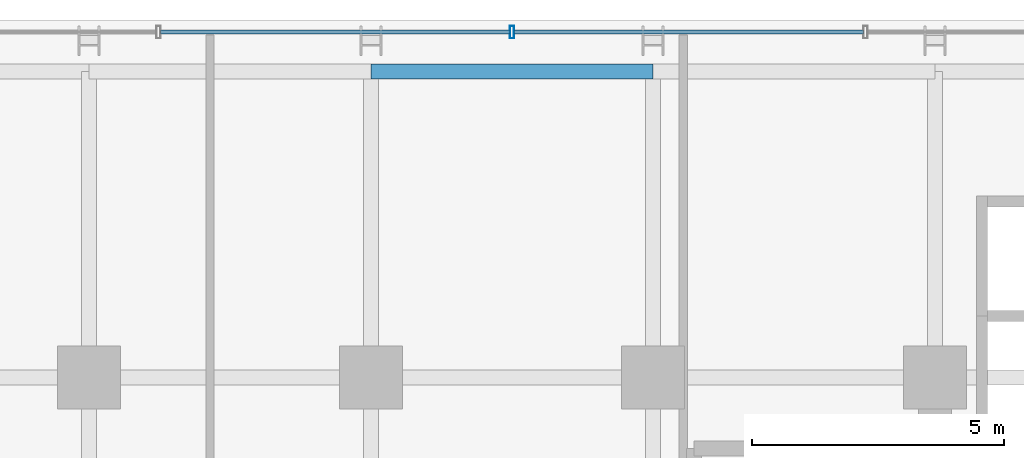
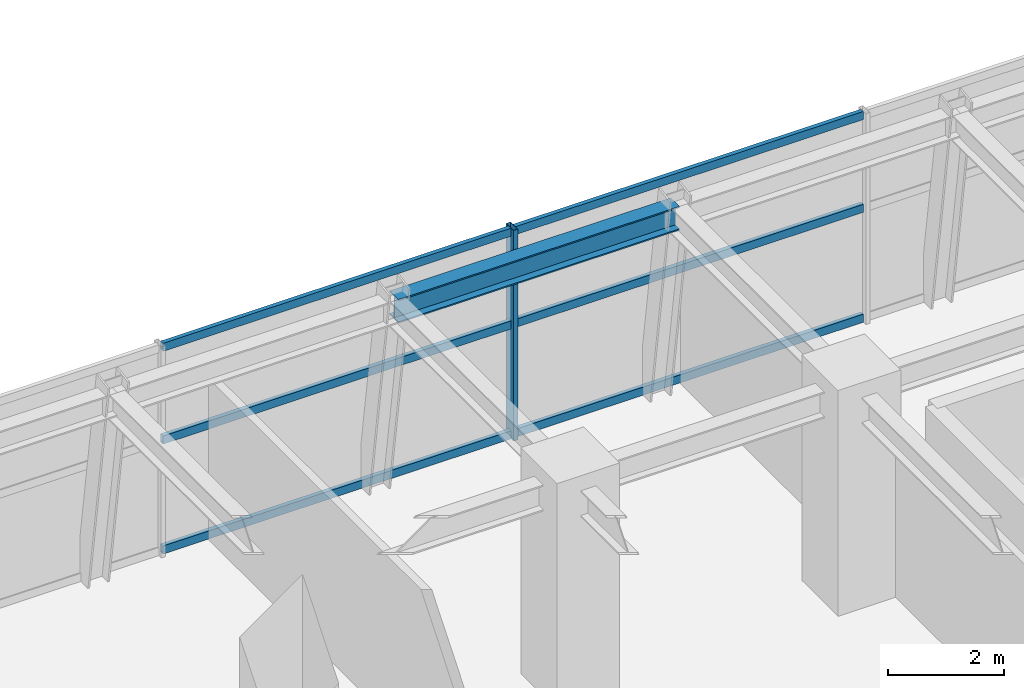
# One storey, part 15 of 26: 7 members, 1 beam, 1 element without a shape of its own.
"""IFC4 building model written with IfcOpenShell, lengths in metres."""

from ifc_helpers import new_model, si_unit, direction, frame, origin, origin_2d, place, context, subcontext, project, spatial, hollow_rectangle, i_section, extrude, source, transform, mapped, material, material_profile, profile_set, type_object, element, aggregate, save


model = new_model("IFC4")

# Units and contexts
model_context = context("Model", 3, precision=1e-05, world=origin(), true_north=direction((0.0, 1.0)))
body_context = subcontext(model_context, "Body", "Model", "MODEL_VIEW")
ifc_project = project(units=[si_unit("LENGTHUNIT", "METRE"), si_unit("AREAUNIT", "SQUARE_METRE"), si_unit("VOLUMEUNIT", "CUBIC_METRE"), si_unit("PLANEANGLEUNIT", "RADIAN"), si_unit("MASSUNIT", "GRAM", prefix="KILO")], contexts=[model_context])

# Site, building, storey
site_placement = place(None, origin())
site = spatial("IfcSite", under=ifc_project, at=site_placement, CompositionType="ELEMENT")
building_placement = place(site_placement, origin())
building = spatial("IfcBuilding", under=site, at=building_placement, Name="Nahalor Promenade Grand Hotel", CompositionType="ELEMENT")
storey_placement = place(building_placement, frame((0.0, 0.0, 139.39990234375)))
storey = spatial("IfcBuildingStorey", under=building, at=storey_placement, Name="L35", CompositionType="ELEMENT", Elevation=139.39990234375)

# Beam
ifc_material_1 = material(Name="Steel S355JR", Category="steel")
ifc_material_profile_1 = material_profile(ifc_material_1, i_section(OverallWidth=0.3, OverallDepth=0.5, WebThickness=0.0145, FlangeThickness=0.028, at=origin_2d()), Name="HEB 500")
ifc_profile_set_1 = profile_set([ifc_material_profile_1], Name="Steel S355JR")
beam_type = type_object("IfcBeamType", Name="Beam-Spandrel-HEB500", PredefinedType="SPANDREL", material=ifc_profile_set_1)
shared_shape_1 = source(origin(), body_context, "Body", "SweptSolid", [
    extrude(i_section(OverallWidth=0.3, OverallDepth=0.5, WebThickness=0.0145, FlangeThickness=0.028, at=origin_2d()), origin(), (0.0, 0.0, 1.0), 5.60009765625),
])
beam_placement = place(storey_placement, frame((-2.800048828125, 23.080078125, 4.190185546875), z_axis=(1.0, 0.0, 0.0), x_axis=(0.0, 1.0, 0.0)))
element("IfcBeam", 1, at=beam_placement, inside=storey, type_object=beam_type, Name="BM-L35-SP-N-2", PredefinedType="SPANDREL", context=body_context, shape_type="MappedRepresentation", body=[
    mapped(shared_shape_1, transform((0.0, 0.0, 0.0), scale=1.0)),
])

# Curtain wall, members
ifc_material_2 = material(Name="Anodised Bronze Aluminium EN AW-6063 T6", Category="aluminium")
curtain_wall_type = type_object("IfcCurtainWallType", Name="CW5 Sky-Lobby & Observation Panoramic Curtain Wall", PredefinedType="USERDEFINED", material=ifc_material_2)
curtain_wall_placement = place(storey_placement, origin())
curtain_wall = element("IfcCurtainWall", 2, at=curtain_wall_placement, inside=storey, type_object=curtain_wall_type, Name="L35 Curtain Wall CW-L35-N-1", ObjectType="UNITISED_CURTAIN_WALL", PredefinedType="USERDEFINED")
ifc_material_profile_2 = material_profile(ifc_material_2, hollow_rectangle(XDim=0.085, YDim=0.25, WallThickness=0.006, at=origin_2d()), Name="CWM 85x250x6")
ifc_profile_set_2 = profile_set([ifc_material_profile_2], Name="Anodised Bronze Aluminium EN AW-6063 T6")
member_type_1 = type_object("IfcMemberType", Name="CWM5 Panoramic Deep Mullion 85x250", PredefinedType="MULLION", material=ifc_profile_set_2)
shared_shape_2 = source(origin(), body_context, "Body", "SweptSolid", [
    extrude(hollow_rectangle(XDim=0.085, YDim=0.25, WallThickness=0.006, at=origin_2d()), origin(), (0.0, 0.0, 1.0), 4.440185546875),
])
member_1_placement = place(storey_placement, frame((0.0, 23.860107421875, 0.0), z_axis=(0.0, 0.0, 1.0), x_axis=(1.0, 0.0, 0.0)))
member_1 = element("IfcMember", 3, at=member_1_placement, type_object=member_type_1, Name="CW-L35-N-1 Mullion 3", PredefinedType="MULLION", context=body_context, shape_type="MappedRepresentation", body=[
    mapped(shared_shape_2, transform((0.0, 0.0, 0.0), scale=1.0)),
])
ifc_material_profile_3 = material_profile(ifc_material_2, hollow_rectangle(XDim=0.085, YDim=0.17, WallThickness=0.005, at=origin_2d()), Name="CWT 85x170x5")
ifc_profile_set_3 = profile_set([ifc_material_profile_3], Name="Anodised Bronze Aluminium EN AW-6063 T6")
member_type_2 = type_object("IfcMemberType", Name="CWT5 Panoramic Transom 85x170", PredefinedType="USERDEFINED", material=ifc_profile_set_3)
shared_shape_3 = source(origin(), body_context, "Body", "SweptSolid", [
    extrude(hollow_rectangle(XDim=0.085, YDim=0.17, WallThickness=0.005, at=origin_2d()), origin(), (0.0, 0.0, 1.0), 6.93505859375),
])
member_2_placement = place(storey_placement, frame((-6.9775390625, 23.860107421875, 0.085205078125), z_axis=(1.0, 0.0, 0.0), x_axis=(0.0, 1.0, 0.0)))
member_2 = element("IfcMember", 4, at=member_2_placement, type_object=member_type_2, Name="CW-L35-N-1 Transom 2-0", ObjectType="TRANSOM", PredefinedType="USERDEFINED", context=body_context, shape_type="MappedRepresentation", body=[
    mapped(shared_shape_3, transform((0.0, 0.0, 0.0), scale=1.0)),
])
member_3_placement = place(storey_placement, frame((-6.9775390625, 23.860107421875, 2.400146484375), z_axis=(1.0, 0.0, 0.0), x_axis=(0.0, 1.0, 0.0)))
member_3 = element("IfcMember", 5, at=member_3_placement, type_object=member_type_2, Name="CW-L35-N-1 Transom 2-1", ObjectType="TRANSOM", PredefinedType="USERDEFINED", context=body_context, shape_type="MappedRepresentation", body=[
    mapped(shared_shape_3, transform((0.0, 0.0, 0.0), scale=1.0)),
])
member_4_placement = place(storey_placement, frame((-6.9775390625, 23.860107421875, 4.35498046875), z_axis=(1.0, 0.0, 0.0), x_axis=(0.0, 1.0, 0.0)))
member_4 = element("IfcMember", 6, at=member_4_placement, type_object=member_type_2, Name="CW-L35-N-1 Transom 2-2", ObjectType="TRANSOM", PredefinedType="USERDEFINED", context=body_context, shape_type="MappedRepresentation", body=[
    mapped(shared_shape_3, transform((0.0, 0.0, 0.0), scale=1.0)),
])
member_5_placement = place(storey_placement, frame((0.04248046875, 23.860107421875, 0.085205078125), z_axis=(1.0, 0.0, 0.0), x_axis=(0.0, 1.0, 0.0)))
member_5 = element("IfcMember", 7, at=member_5_placement, type_object=member_type_2, Name="CW-L35-N-1 Transom 3-0", ObjectType="TRANSOM", PredefinedType="USERDEFINED", context=body_context, shape_type="MappedRepresentation", body=[
    mapped(shared_shape_3, transform((0.0, 0.0, 0.0), scale=1.0)),
])
member_6_placement = place(storey_placement, frame((0.04248046875, 23.860107421875, 2.400146484375), z_axis=(1.0, 0.0, 0.0), x_axis=(0.0, 1.0, 0.0)))
member_6 = element("IfcMember", 8, at=member_6_placement, type_object=member_type_2, Name="CW-L35-N-1 Transom 3-1", ObjectType="TRANSOM", PredefinedType="USERDEFINED", context=body_context, shape_type="MappedRepresentation", body=[
    mapped(shared_shape_3, transform((0.0, 0.0, 0.0), scale=1.0)),
])
member_7_placement = place(storey_placement, frame((0.04248046875, 23.860107421875, 4.35498046875), z_axis=(1.0, 0.0, 0.0), x_axis=(0.0, 1.0, 0.0)))
member_7 = element("IfcMember", 9, at=member_7_placement, type_object=member_type_2, Name="CW-L35-N-1 Transom 3-2", ObjectType="TRANSOM", PredefinedType="USERDEFINED", context=body_context, shape_type="MappedRepresentation", body=[
    mapped(shared_shape_3, transform((0.0, 0.0, 0.0), scale=1.0)),
])
aggregate(curtain_wall, [member_1, member_2, member_3, member_4, member_5, member_6, member_7])

save(model, "model.ifc")
